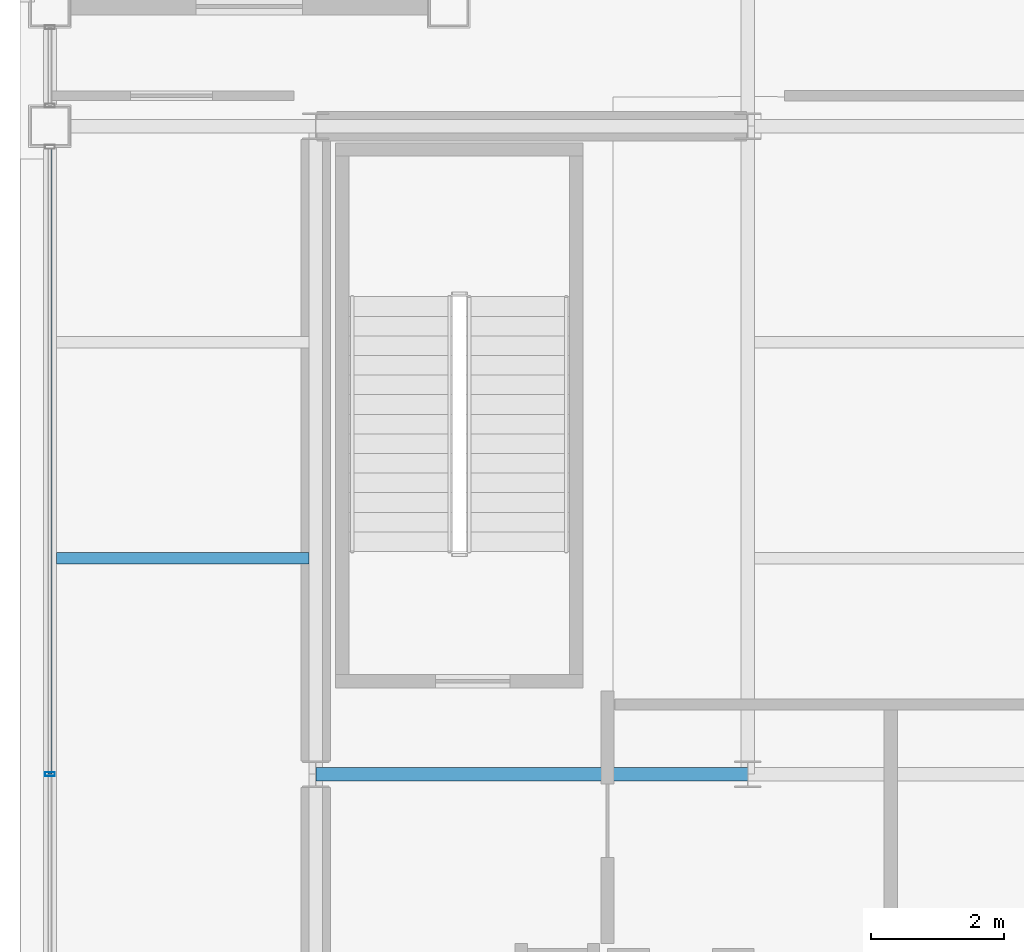
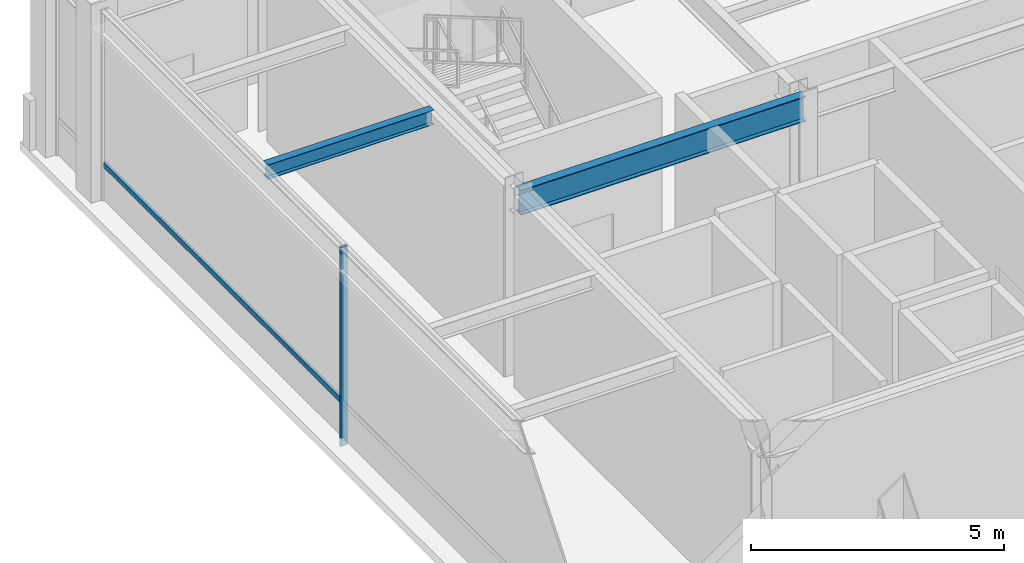
# One storey, part 6 of 21: 2 beams, 2 members, 1 element without a shape of its own.
"""IFC4 building model written with IfcOpenShell, lengths in metres."""

from ifc_helpers import new_model, si_unit, direction, frame, origin, origin_2d, place, context, subcontext, project, spatial, hollow_rectangle, i_section, extrude, material, layer, layer_set, material_profile, profile_set, type_object, element, aggregate, save


model = new_model("IFC4")

# Units and contexts
model_context = context("Model", 3, precision=1e-05, world=origin(), true_north=direction((0.0, 1.0)))
body_context = subcontext(model_context, "Body", "Model", "MODEL_VIEW")
ifc_project = project(units=[si_unit("LENGTHUNIT", "METRE"), si_unit("AREAUNIT", "SQUARE_METRE"), si_unit("VOLUMEUNIT", "CUBIC_METRE"), si_unit("PLANEANGLEUNIT", "RADIAN"), si_unit("MASSUNIT", "GRAM", prefix="KILO")], contexts=[model_context])

# Site, building, storey
site_placement = place(None, origin())
site = spatial("IfcSite", under=ifc_project, at=site_placement, CompositionType="ELEMENT")
building_placement = place(site_placement, origin())
building = spatial("IfcBuilding", under=site, at=building_placement, Name="Brelmoor Portico Tower", CompositionType="ELEMENT")
storey_placement = place(building_placement, frame((0.0, 0.0, 284.39990234375)))
storey = spatial("IfcBuildingStorey", under=building, at=storey_placement, Name="L75", CompositionType="ELEMENT", Elevation=284.39990234375)

# Beams
ifc_material_1 = material(Name="Steel Q355B", Category="steel")
ifc_material_profile_1 = material_profile(ifc_material_1, i_section(OverallWidth=0.175048828125, OverallDepth=0.35009765625, WebThickness=0.007080078125, FlangeThickness=0.010986328125, at=origin_2d()), Name="HN 350x175x7x11")
ifc_profile_set_1 = profile_set([ifc_material_profile_1], Name="Steel Q355B")
beam_type_1 = type_object("IfcBeamType", Name="BM-JS-350", PredefinedType="JOIST", material=ifc_profile_set_1)
beam_1_placement = place(storey_placement, frame((-18.449951171875, 3.25, 4.425048828125), z_axis=(1.0, 0.0, 0.0), x_axis=(0.0, 1.0, 0.0)))
element("IfcBeam", 1, at=beam_1_placement, inside=storey, type_object=beam_type_1, Name="L75 Secondary Wing Joist JS-W09", PredefinedType="JOIST", context=body_context, shape_type="SweptSolid", body=[
    extrude(i_section(OverallWidth=0.175048828125, OverallDepth=0.35009765625, WebThickness=0.007080078125, FlangeThickness=0.010986328125, at=origin_2d()), origin(), (0.0, 0.0, 1.0), 3.800048828125),
])
ifc_material_profile_2 = material_profile(ifc_material_1, i_section(OverallWidth=0.199951171875, OverallDepth=0.60009765625, WebThickness=0.010986328125, FlangeThickness=0.01708984375, at=origin_2d()), Name="HN 600x200x11x17")
ifc_profile_set_2 = profile_set([ifc_material_profile_2], Name="Steel Q355B")
beam_type_2 = type_object("IfcBeamType", Name="BM-PG-600", PredefinedType="BEAM", material=ifc_profile_set_2)
beam_2_placement = place(storey_placement, frame((-14.550048828125, 0.0, 4.300048828125), z_axis=(1.0, 0.0, 0.0), x_axis=(0.0, 1.0, 0.0)))
element("IfcBeam", 2, at=beam_2_placement, inside=storey, type_object=beam_type_2, Name="L75 Primary Floor Girder PG-16", PredefinedType="BEAM", context=body_context, shape_type="SweptSolid", body=[
    extrude(i_section(OverallWidth=0.199951171875, OverallDepth=0.60009765625, WebThickness=0.010986328125, FlangeThickness=0.01708984375, at=origin_2d()), origin(), (0.0, 0.0, 1.0), 6.5),
])

# Curtain wall, members
ifc_material_2 = material(Name="Anodised Aluminium Alloy 6063-T6", Category="aluminium")
ifc_layer = layer(ifc_material_2, 0.179931640625)
ifc_layer_set = layer_set([ifc_layer], Name="Anodised Aluminium Alloy 6063-T6")
curtain_wall_type = type_object("IfcCurtainWallType", Name="CW-TOWER-Z4", PredefinedType="NOTDEFINED", material=ifc_layer_set)
curtain_wall_placement = place(storey_placement, origin())
curtain_wall = element("IfcCurtainWall", 3, at=curtain_wall_placement, inside=storey, type_object=curtain_wall_type, Name="L75 Curtain Wall CW-L75-03-2", PredefinedType="NOTDEFINED")
ifc_material_profile_3 = material_profile(ifc_material_2, hollow_rectangle(XDim=0.06005859375, YDim=0.14990234375, WallThickness=0.00390625, at=origin_2d()), Name="ALU MULLION 60x150")
ifc_profile_set_3 = profile_set([ifc_material_profile_3], Name="Anodised Aluminium Alloy 6063-T6")
member_type_1 = type_object("IfcMemberType", Name="MB-CW-MULL-150", PredefinedType="MULLION", material=ifc_profile_set_3)
member_1_placement = place(storey_placement, frame((-18.550048828125, 0.0, -0.199951171875), z_axis=(0.0, 0.0, 1.0), x_axis=(0.0, 1.0, 0.0)))
member_1 = element("IfcMember", 4, at=member_1_placement, type_object=member_type_1, Name="CW-L75-03-2 Mullion 01", PredefinedType="MULLION", context=body_context, shape_type="SweptSolid", body=[
    extrude(hollow_rectangle(XDim=0.06005859375, YDim=0.14990234375, WallThickness=0.00390625, at=origin_2d()), origin(), (0.0, 0.0, 1.0), 4.800048828125),
])
ifc_material_profile_4 = material_profile(ifc_material_2, hollow_rectangle(XDim=0.06005859375, YDim=0.125, WallThickness=0.00341796875, at=origin_2d()), Name="ALU TRANSOM 60x125")
ifc_profile_set_4 = profile_set([ifc_material_profile_4], Name="Anodised Aluminium Alloy 6063-T6")
member_type_2 = type_object("IfcMemberType", Name="MB-CW-TRAN-125", PredefinedType="USERDEFINED", material=ifc_profile_set_4)
member_2_placement = place(storey_placement, frame((-18.550048828125, 0.0, 0.85009765625), z_axis=(0.0, 1.0, 0.0), x_axis=(-1.0, 0.0, 0.0)))
member_2 = element("IfcMember", 5, at=member_2_placement, type_object=member_type_2, Name="CW-L75-03-2 Transom 1-01", ObjectType="TRANSOM", PredefinedType="USERDEFINED", context=body_context, shape_type="SweptSolid", body=[
    extrude(hollow_rectangle(XDim=0.06005859375, YDim=0.125, WallThickness=0.00341796875, at=origin_2d()), origin(), (0.0, 0.0, 1.0), 9.43994140625),
])
aggregate(curtain_wall, [member_1, member_2])

save(model, "model.ifc")
